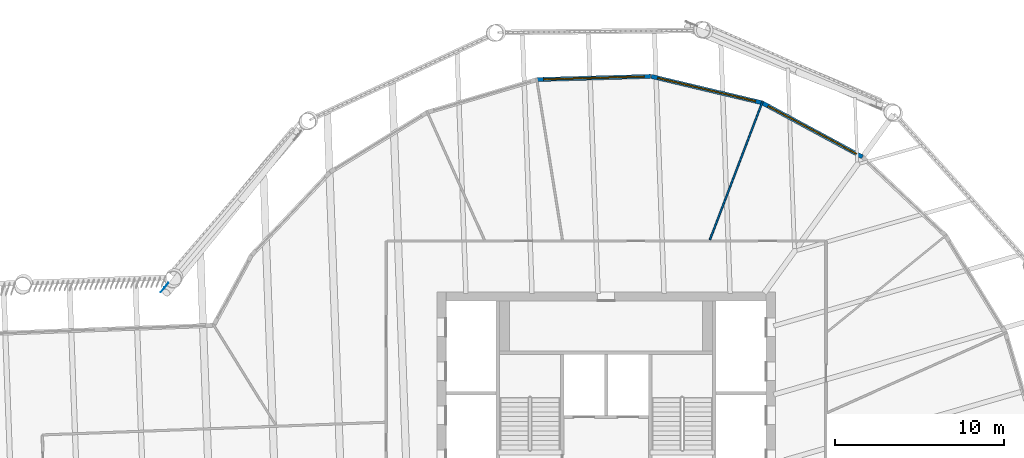
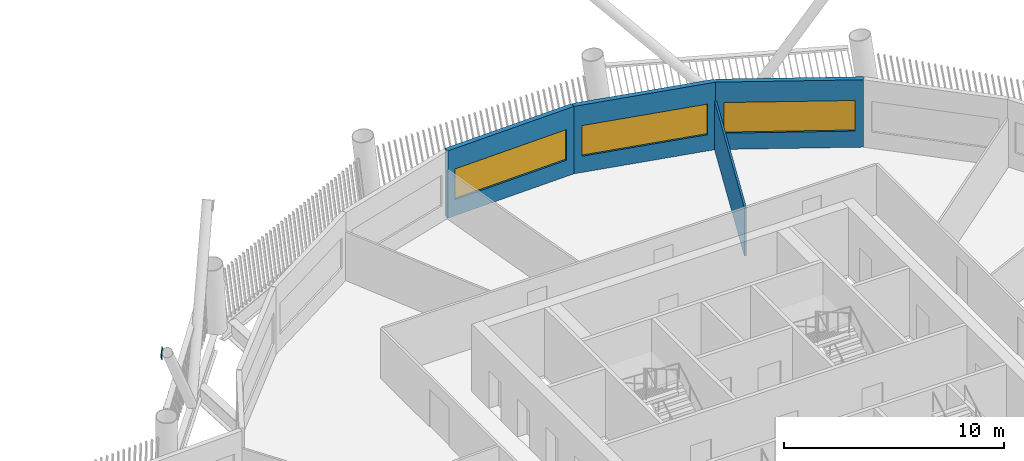
# One storey, part 7 of 20: 4 walls, 3 windows, 1 discrete accessory, 3 openings.
"""IFC4 building model written with IfcOpenShell, lengths in metres."""

from ifc_helpers import new_model, si_unit, direction, frame, frame_2d, origin, origin_2d, place, context, subcontext, project, spatial, rectangle, extrude, material, layer, layer_set, material_profile, profile_set, type_object, element, fill, save


model = new_model("IFC4")

# Units and contexts
model_context = context("Model", 3, precision=1e-05, world=origin(), true_north=direction((0.0, 1.0)))
body_context = subcontext(model_context, "Body", "Model", "MODEL_VIEW")
ifc_project = project(units=[si_unit("LENGTHUNIT", "METRE"), si_unit("AREAUNIT", "SQUARE_METRE"), si_unit("VOLUMEUNIT", "CUBIC_METRE"), si_unit("PLANEANGLEUNIT", "RADIAN"), si_unit("MASSUNIT", "GRAM", prefix="KILO")], contexts=[model_context])

# Site, building, storey
site_placement = place(None, origin())
site = spatial("IfcSite", under=ifc_project, at=site_placement, CompositionType="ELEMENT")
building_placement = place(site_placement, origin())
building = spatial("IfcBuilding", under=site, at=building_placement, Name="Tarsis Ring Headquarters", CompositionType="ELEMENT")
storey_placement = place(building_placement, frame((0.0, 0.0, 294.199951171875)))
storey = spatial("IfcBuildingStorey", under=building, at=storey_placement, Name="L69", CompositionType="ELEMENT", Elevation=294.199951171875)

# Wall
ifc_material_1 = material(Name="Gypsum board on steel studs", Category="steel")
ifc_layer_1 = layer(ifc_material_1, 0.10009765625)
ifc_layer_set_1 = layer_set([ifc_layer_1], Name="FL partition 100 unrated")
wall_type_1 = type_object("IfcWallType", Name="FL partition 100 unrated", PredefinedType="PARTITIONING", material=ifc_layer_set_1)
wall_1_placement = place(storey_placement, frame((6.1318359375, 16.07470703125, 0.0), z_axis=(0.0, 0.0, 1.0), x_axis=(0.356408663159, 0.934330169065, 0.0)))
element("IfcWall", 1, at=wall_1_placement, inside=storey, type_object=wall_type_1, Name="Partition PW3", PredefinedType="PARTITIONING", context=body_context, shape_type="SweptSolid", body=[
    extrude(rectangle(XDim=8.743408203125, YDim=0.10009765625, at=frame_2d((4.37158203125, 0.0))), origin(), (0.0, 0.0, 1.0), 2.699951171875),
])

# Wall, opening, window
ifc_material_2 = material(Name="Terracotta clad insulated panel wall", Category="masonry")
ifc_layer_2 = layer(ifc_material_2, 0.25)
ifc_layer_set_2 = layer_set([ifc_layer_2], Name="Facade wall terracotta panel 250")
wall_type_2 = type_object("IfcWallType", Name="Facade wall terracotta panel 250", PredefinedType="STANDARD", material=ifc_layer_set_2)
wall_2_placement = place(storey_placement, frame((15.14990234375, 20.97216796875, 0.0), z_axis=(0.0, 0.0, 1.0), x_axis=(-0.879812441986, 0.475321014607, 0.0)))
wall_2 = element("IfcWall", 2, at=wall_2_placement, inside=storey, type_object=wall_type_2, Name="External wall L69-24", PredefinedType="STANDARD", context=body_context, shape_type="SweptSolid", body=[
    extrude(rectangle(XDim=6.721435546875, YDim=0.25, at=frame_2d((3.36083984375, 0.0))), origin(), (0.0, 0.0, 1.0), 3.739990234375),
])
opening_1_placement = place(wall_2_placement, frame((0.3857421875, 0.0, 0.89990234375)))
opening_1 = element("IfcOpeningElement", 3, at=opening_1_placement, cuts=wall_2, Name="Opening WN07", PredefinedType="OPENING", context=body_context, shape_type="SweptSolid", body=[
    extrude(rectangle(XDim=5.949951171875, YDim=1.699951171875, at=frame_2d((2.97509765625, 0.85009765625))), frame((0.0, 0.135009765625, 0.0), z_axis=(0.0, -1.0, 0.0), x_axis=(1.0, 0.0, 0.0)), (0.0, 0.0, 1.0), 0.27001953125),
])
ifc_material_3 = material(Name="Aluminium framed double glazing", Category="aluminium")
window_type = type_object("IfcWindowType", Name="Facade window 5950 x 1700", PartitioningType="SINGLE_PANEL", PredefinedType="WINDOW", material=ifc_material_3)
window_1_placement = place(opening_1_placement, origin())
window_1 = element("IfcWindow", 4, at=window_1_placement, inside=storey, type_object=window_type, Name="Window L69-24.1", OverallHeight=1.699951171875, OverallWidth=5.949951171875, PartitioningType="SINGLE_PANEL", PredefinedType="WINDOW", context=body_context, shape_type="SweptSolid", body=[
    extrude(rectangle(XDim=5.949951171875, YDim=1.699951171875, at=frame_2d((2.97509765625, 0.85009765625))), frame((0.0, 0.030029296875, 0.0), z_axis=(0.0, -1.0, 0.0), x_axis=(1.0, 0.0, 0.0)), (0.0, 0.0, 1.0), 0.06005859375),
])
fill(opening_1, window_1)

wall_3_placement = place(storey_placement, frame((9.205810546875, 24.178466796875, 0.0), z_axis=(0.0, 0.0, 1.0), x_axis=(-0.972856466197, 0.231409369255, 0.0)))
wall_3 = element("IfcWall", 5, at=wall_3_placement, inside=storey, type_object=wall_type_2, Name="External wall L69-25", PredefinedType="STANDARD", context=body_context, shape_type="SweptSolid", body=[
    extrude(rectangle(XDim=6.721435546875, YDim=0.25, at=frame_2d((3.36083984375, 0.0))), origin(), (0.0, 0.0, 1.0), 3.739990234375),
])
opening_2_placement = place(wall_3_placement, frame((0.3857421875, 0.0, 0.89990234375)))
opening_2 = element("IfcOpeningElement", 6, at=opening_2_placement, cuts=wall_3, Name="Opening WN07", PredefinedType="OPENING", context=body_context, shape_type="SweptSolid", body=[
    extrude(rectangle(XDim=5.949951171875, YDim=1.699951171875, at=frame_2d((2.97509765625, 0.85009765625))), frame((0.0, 0.135009765625, 0.0), z_axis=(0.0, -1.0, 0.0), x_axis=(1.0, 0.0, 0.0)), (0.0, 0.0, 1.0), 0.27001953125),
])
window_2_placement = place(opening_2_placement, origin())
window_2 = element("IfcWindow", 7, at=window_2_placement, inside=storey, type_object=window_type, Name="Window L69-25.1", OverallHeight=1.699951171875, OverallWidth=5.949951171875, PartitioningType="SINGLE_PANEL", PredefinedType="WINDOW", context=body_context, shape_type="SweptSolid", body=[
    extrude(rectangle(XDim=5.949951171875, YDim=1.699951171875, at=frame_2d((2.97509765625, 0.85009765625))), frame((0.0, 0.030029296875, 0.0), z_axis=(0.0, -1.0, 0.0), x_axis=(1.0, 0.0, 0.0)), (0.0, 0.0, 1.0), 0.06005859375),
])
fill(opening_2, window_2)

wall_4_placement = place(storey_placement, frame((2.63427734375, 25.7373046875, 0.0), z_axis=(0.0, 0.0, 1.0), x_axis=(-0.999600662061, -0.028258032596, 0.0)))
wall_4 = element("IfcWall", 8, at=wall_4_placement, inside=storey, type_object=wall_type_2, Name="External wall L69-26", PredefinedType="STANDARD", context=body_context, shape_type="SweptSolid", body=[
    extrude(rectangle(XDim=6.7216796875, YDim=0.25, at=frame_2d((3.36083984375, 0.0))), origin(), (0.0, 0.0, 1.0), 3.739990234375),
])
opening_3_placement = place(wall_4_placement, frame((0.3857421875, 0.0, 0.89990234375)))
opening_3 = element("IfcOpeningElement", 9, at=opening_3_placement, cuts=wall_4, Name="Opening WN07", PredefinedType="OPENING", context=body_context, shape_type="SweptSolid", body=[
    extrude(rectangle(XDim=5.949951171875, YDim=1.699951171875, at=frame_2d((2.97509765625, 0.85009765625))), frame((0.0, 0.135009765625, 0.0), z_axis=(0.0, -1.0, 0.0), x_axis=(1.0, 0.0, 0.0)), (0.0, 0.0, 1.0), 0.27001953125),
])
window_3_placement = place(opening_3_placement, origin())
window_3 = element("IfcWindow", 10, at=window_3_placement, inside=storey, type_object=window_type, Name="Window L69-26.1", OverallHeight=1.699951171875, OverallWidth=5.949951171875, PartitioningType="SINGLE_PANEL", PredefinedType="WINDOW", context=body_context, shape_type="SweptSolid", body=[
    extrude(rectangle(XDim=5.949951171875, YDim=1.699951171875, at=frame_2d((2.97509765625, 0.85009765625))), frame((0.0, 0.030029296875, 0.0), z_axis=(0.0, -1.0, 0.0), x_axis=(1.0, 0.0, 0.0)), (0.0, 0.0, 1.0), 0.06005859375),
])
fill(opening_3, window_3)

# Discrete accessory
ifc_material_4 = material(Name="Structural steel S355", Category="steel")
ifc_material_profile = material_profile(ifc_material_4, rectangle(XDim=0.02490234375, YDim=0.5, at=origin_2d()), Name="PL 25x500")
ifc_profile_set = profile_set([ifc_material_profile], Name="Structural steel S355")
discrete_accessory_type = type_object("IfcDiscreteAccessoryType", Name="Gusset plate Exo brace 25", PredefinedType="BRACKET", material=ifc_profile_set)
discrete_accessory_placement = place(storey_placement, frame((-26.2109375, 13.11474609375, 7.800048828125), z_axis=(0.422917007059, 0.525960296308, -0.737907156659), x_axis=(-0.779313311256, 0.626634473118, 0.0)))
element("IfcDiscreteAccessory", 11, at=discrete_accessory_placement, inside=storey, type_object=discrete_accessory_type, Name="Gusset plate GP5", PredefinedType="BRACKET", context=body_context, shape_type="SweptSolid", body=[
    extrude(rectangle(XDim=0.02490234375, YDim=0.5, at=origin_2d()), origin(), (0.0, 0.0, 1.0), 0.5),
])

save(model, "model.ifc")
